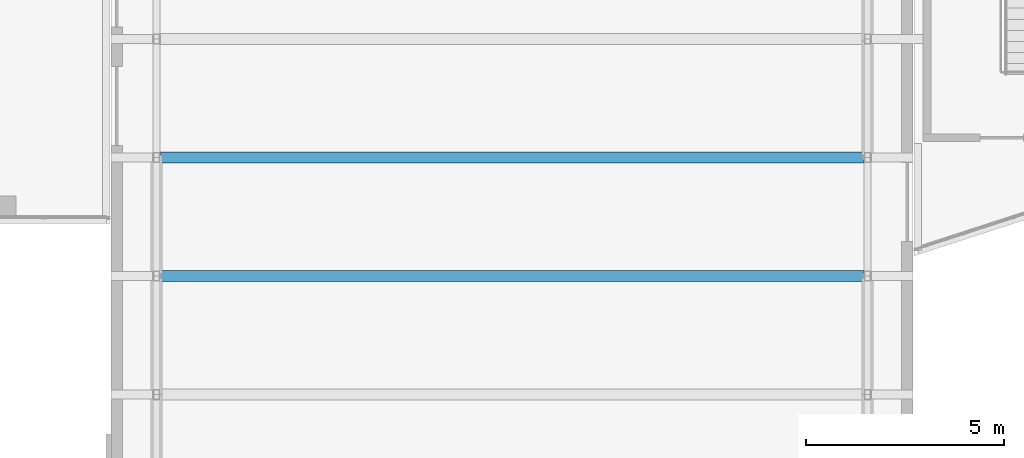
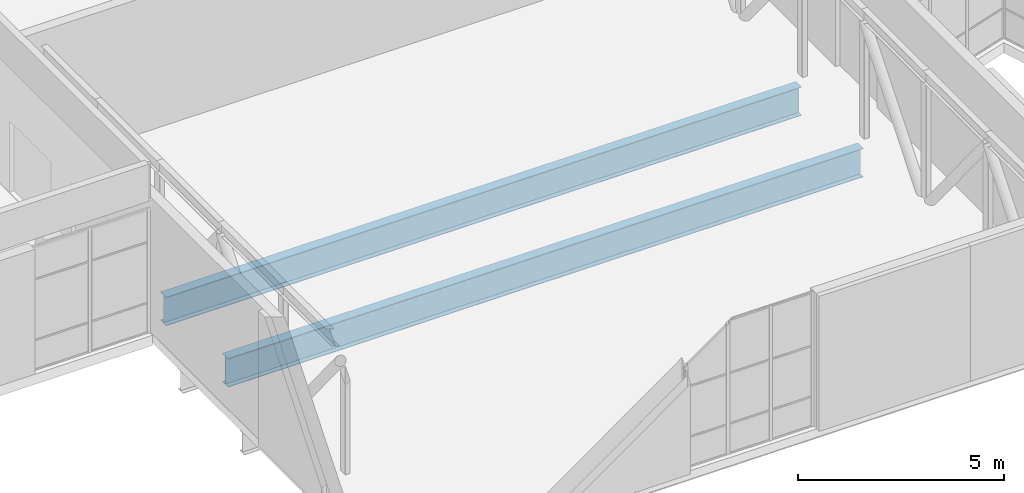
# One storey, part 13 of 72: 2 beams.
"""IFC4 building model written with IfcOpenShell, lengths in metres."""

from ifc_helpers import new_model, si_unit, direction, frame, origin, origin_2d, place, context, subcontext, project, spatial, i_section, extrude, material, material_profile, profile_set, type_object, element, save


model = new_model("IFC4")

# Units and contexts
model_context = context("Model", 3, precision=1e-05, world=origin(), true_north=direction((0.0, 1.0)))
body_context = subcontext(model_context, "Body", "Model", "MODEL_VIEW")
ifc_project = project(units=[si_unit("LENGTHUNIT", "METRE"), si_unit("AREAUNIT", "SQUARE_METRE"), si_unit("VOLUMEUNIT", "CUBIC_METRE"), si_unit("PLANEANGLEUNIT", "RADIAN"), si_unit("MASSUNIT", "GRAM", prefix="KILO")], contexts=[model_context])

# Site, building, storey
site_placement = place(None, origin())
site = spatial("IfcSite", under=ifc_project, at=site_placement, CompositionType="ELEMENT")
building_placement = place(site_placement, origin())
building = spatial("IfcBuilding", under=site, at=building_placement, Name="Tuart Plaza Theatre", CompositionType="ELEMENT")
storey_placement = place(building_placement, frame((0.0, 0.0, 13.5)))
storey = spatial("IfcBuildingStorey", under=building, at=storey_placement, Name="L03", CompositionType="ELEMENT", Elevation=13.5)

# Beams
ifc_material_1 = material(Name="Steel Grade 300", Category="steel")
ifc_material_profile_1 = material_profile(ifc_material_1, i_section(OverallWidth=0.27490234375, OverallDepth=0.85009765625, WebThickness=0.010009765625, FlangeThickness=0.01611328125, at=origin_2d()), Name="850WB146")
ifc_profile_set_1 = profile_set([ifc_material_profile_1], Name="Steel Grade 300")
beam_type_1 = type_object("IfcBeamType", Name="BEAM 850WB146 FLOOR ON RAKER", PredefinedType="BEAM", material=ifc_profile_set_1)
beam_1_placement = place(storey_placement, frame((87.1044921875, 41.0, -0.675048828125), z_axis=(1.0, 0.0, 0.0), x_axis=(0.0, 1.0, 0.0)))
element("IfcBeam", 1, at=beam_1_placement, inside=storey, type_object=beam_type_1, Name="SB110", PredefinedType="BEAM", context=body_context, shape_type="SweptSolid", body=[
    extrude(i_section(OverallWidth=0.27490234375, OverallDepth=0.85009765625, WebThickness=0.010009765625, FlangeThickness=0.01611328125, at=origin_2d()), origin(), (0.0, 0.0, 1.0), 17.791015625),
])
ifc_material_2 = material(Name="Steel Grade 300", Category="steel")
ifc_material_profile_2 = material_profile(ifc_material_2, i_section(OverallWidth=0.27490234375, OverallDepth=0.85009765625, WebThickness=0.010009765625, FlangeThickness=0.01611328125, at=origin_2d()), Name="850WB146")
ifc_profile_set_2 = profile_set([ifc_material_profile_2], Name="Steel Grade 300")
beam_type_2 = type_object("IfcBeamType", Name="BEAM 850WB146 FLOOR PROPPED", PredefinedType="BEAM", material=ifc_profile_set_2)
beam_2_placement = place(storey_placement, frame((87.1044921875, 44.0, -0.675048828125), z_axis=(1.0, 0.0, 0.0), x_axis=(0.0, 1.0, 0.0)))
element("IfcBeam", 2, at=beam_2_placement, inside=storey, type_object=beam_type_2, Name="SB113", PredefinedType="BEAM", context=body_context, shape_type="SweptSolid", body=[
    extrude(i_section(OverallWidth=0.27490234375, OverallDepth=0.85009765625, WebThickness=0.010009765625, FlangeThickness=0.01611328125, at=origin_2d()), origin(), (0.0, 0.0, 1.0), 17.791015625),
])

save(model, "model.ifc")
